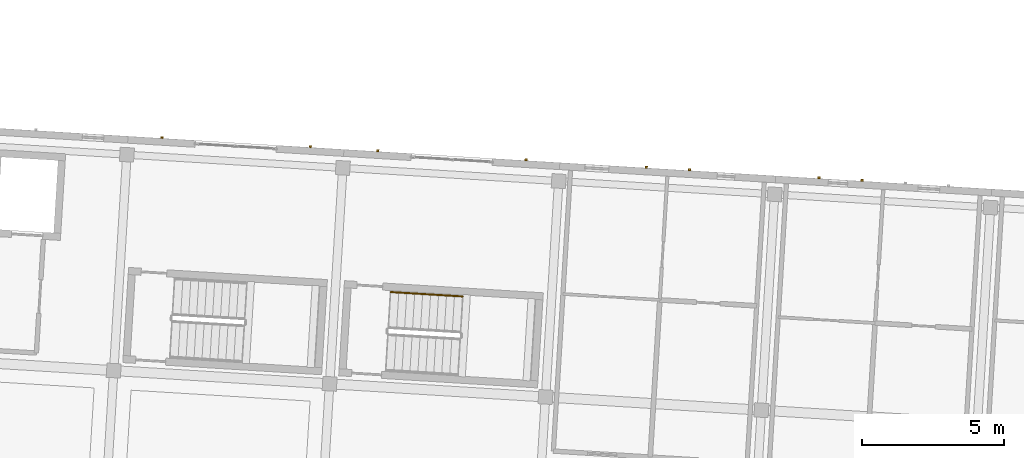
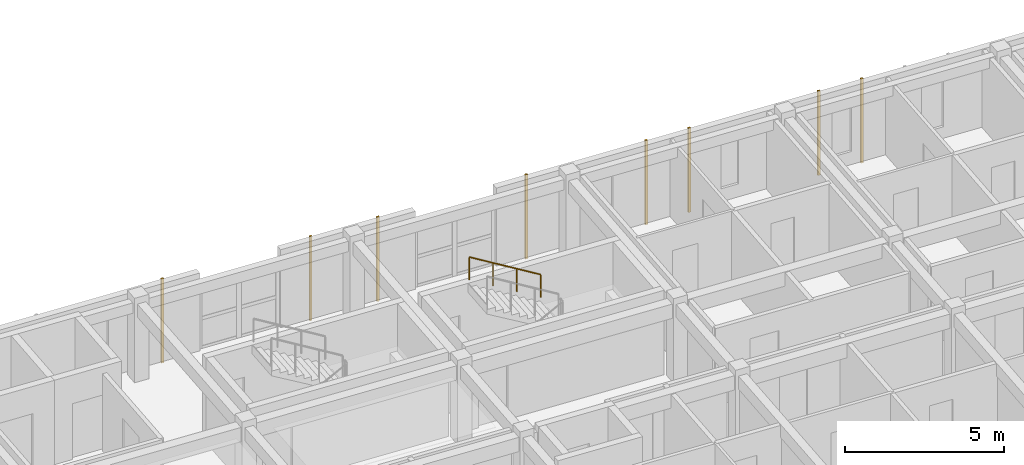
# One storey, part 50 of 74: 8 coverings, 1 railing.
"""IFC4 building model written with IfcOpenShell, lengths in metres."""

import ifcopenshell
import ifcopenshell.guid

model = None  # the IFC model being written
_history = None  # IfcOwnerHistory: only IFC2X3 demands one
_inside = {}  # id of a spatial element -> (the spatial element, [elements in it])
_under = {}  # id of a project, library or spatial element -> (it, [spatial elements below it])
_declared = {}  # id of a project -> (the project, [libraries it declares])
_typed = {}  # id of a type object -> (the type object, [elements of that type])
_made_of = {}  # id of a material, layer set ... -> (it, [elements and type objects made of it])


def new_model(schema):
    """Start an empty IFC model of exactly this schema.

    Asked for "IFC4X3", IfcOpenShell would pick the latest addendum, in which some entities
    have other attributes; the version numbers below select the first issue.
    IFC2X3 requires an IfcOwnerHistory on every rooted entity: one is made here for all.
    """
    global model, _history
    if schema == "IFC4X3":
        model = ifcopenshell.file(schema_version=(4, 3, 0, 0))
    else:
        model = ifcopenshell.file(schema=schema)
    _inside.clear()
    _under.clear()
    _declared.clear()
    _typed.clear()
    _made_of.clear()
    _history = None
    if model.schema == "IFC2X3":
        org = make("IfcOrganization", Name="unknown")
        user = make(
            "IfcPersonAndOrganization",
            ThePerson=make("IfcPerson", FamilyName="unknown"),
            TheOrganization=org,
        )
        app = make(
            "IfcApplication",
            ApplicationDeveloper=org,
            Version="unknown",
            ApplicationFullName="unknown",
            ApplicationIdentifier="unknown",
        )
        _history = make(
            "IfcOwnerHistory",
            OwningUser=user,
            OwningApplication=app,
            ChangeAction="ADDED",
            CreationDate=0,
        )
    return model


def make(cls, **values):
    """One entity of the class cls with the attributes given. An attribute that is None is left unset."""
    return model.create_entity(
        cls, **{name: value for name, value in values.items() if value is not None}
    )


def rooted(cls, **values):
    """An entity with a GlobalId (a new one), such as an element, a storey or a relation."""
    return make(cls, GlobalId=ifcopenshell.guid.new(), OwnerHistory=_history, **values)


def si_unit(unit_type, name, prefix=None):
    """IfcSIUnit, for example si_unit("LENGTHUNIT", "METRE", prefix="MILLI")."""
    return make("IfcSIUnit", UnitType=unit_type, Prefix=prefix, Name=name)


def assignment(units):
    """IfcUnitAssignment: the units of a project."""
    return None if units is None else make("IfcUnitAssignment", Units=units)


def point(xyz):
    """IfcCartesianPoint."""
    return None if xyz is None else make("IfcCartesianPoint", Coordinates=xyz)


def direction(xyz):
    """IfcDirection."""
    return None if xyz is None else make("IfcDirection", DirectionRatios=xyz)


def frame(location, z_axis=None, x_axis=None):
    """IfcAxis2Placement3D, a coordinate frame: its origin and axes. An axis left out is left unset."""
    return make(
        "IfcAxis2Placement3D",
        Location=point(location),
        Axis=direction(z_axis),
        RefDirection=direction(x_axis),
    )


def frame_2d(location, x_axis=None):
    """IfcAxis2Placement2D, a coordinate frame in the plane: its origin and x axis."""
    return make(
        "IfcAxis2Placement2D", Location=point(location), RefDirection=direction(x_axis)
    )


def origin():
    """The frame at (0, 0, 0) with its axes left unset."""
    return frame((0.0, 0.0, 0.0))


def origin_2d():
    """The frame at (0, 0) in the plane with its x axis left unset."""
    return frame_2d((0.0, 0.0))


def place(relative_to, where):
    """IfcLocalPlacement: puts the frame where relative to a parent placement (None: the world)."""
    return make(
        "IfcLocalPlacement", PlacementRelTo=relative_to, RelativePlacement=where
    )


def context(
    kind, dimensions, precision=None, world=None, true_north=None, identifier=None
):
    """IfcGeometricRepresentationContext, for example the 3D "Model" context."""
    return make(
        "IfcGeometricRepresentationContext",
        ContextIdentifier=identifier,
        ContextType=kind,
        CoordinateSpaceDimension=dimensions,
        Precision=precision,
        WorldCoordinateSystem=world,
        TrueNorth=true_north,
    )


def subcontext(parent, identifier, kind, view, scale=None):
    """IfcGeometricRepresentationSubContext, for example "Body" below "Model"."""
    return make(
        "IfcGeometricRepresentationSubContext",
        ContextIdentifier=identifier,
        ContextType=kind,
        ParentContext=parent,
        TargetScale=scale,
        TargetView=view,
    )


def project(units=None, contexts=None):
    """IfcProject with its units and contexts."""
    return rooted(
        "IfcProject",
        Name="project",
        RepresentationContexts=contexts,
        UnitsInContext=assignment(units),
    )


def spatial(cls, under=None, at=None, **own):
    """A site, building, storey or space (cls), placed at a placement, below another one or the project."""
    s = rooted(cls, ObjectPlacement=at, **own)
    if under is not None:
        _under.setdefault(under.id(), (under, []))[1].append(s)
    return s


def profile(cls, at=None, kind="AREA", **sizes):
    """A parametric profile (cls). Its sizes go by their IFC names, for example OverallWidth=200.0."""
    return make(cls, ProfileType=kind, Position=at, **sizes)


def rectangle(**sizes):
    """IfcRectangleProfileDef."""
    return profile("IfcRectangleProfileDef", **sizes)


def circle(**sizes):
    """IfcCircleProfileDef."""
    return profile("IfcCircleProfileDef", **sizes)


def extrude(swept, where, along, depth):
    """IfcExtrudedAreaSolid: the profile swept, set in the frame where, extruded along a direction by depth."""
    return make(
        "IfcExtrudedAreaSolid",
        SweptArea=swept,
        Position=where,
        ExtrudedDirection=direction(along),
        Depth=depth,
    )


def shape(context_of_items, identifier, shape_type, items):
    """IfcShapeRepresentation: the items that make up one representation, for example the "Body"."""
    return make(
        "IfcShapeRepresentation",
        ContextOfItems=context_of_items,
        RepresentationIdentifier=identifier,
        RepresentationType=shape_type,
        Items=items,
    )


def material(Name=None, Category=None):
    """IfcMaterial."""
    return make("IfcMaterial", Name=Name, Category=Category)


def layer(
    of_material, thickness, ventilated=None, Name=None, Category=None, Priority=None
):
    """IfcMaterialLayer: one layer of a wall or slab, of a material (None: an air gap)."""
    return make(
        "IfcMaterialLayer",
        Material=of_material,
        LayerThickness=thickness,
        IsVentilated=ventilated,
        Name=Name,
        Category=Category,
        Priority=Priority,
    )


def layer_set(layers, Name=None):
    """IfcMaterialLayerSet."""
    return make("IfcMaterialLayerSet", MaterialLayers=layers, LayerSetName=Name)


def made_of(thing, what):
    """Note that an element or type object is made of a material, layer set ...; save() writes the relation."""
    if what is not None:
        _made_of.setdefault(what.id(), (what, []))[1].append(thing)
    return thing


def type_object(cls, material=None, **own):
    """A type object (cls), such as IfcWallType, which elements share."""
    return made_of(rooted(cls, **own), material)


def element(
    cls,
    number,
    at=None,
    inside=None,
    cuts=None,
    type_object=None,
    material=None,
    context=None,
    identifier="Body",
    shape_type=None,
    held_by="IfcProductDefinitionShape",
    body=None,
    shapes=None,
    **own,
):
    """One element of the class cls, such as IfcWall. Its Tag is "e" and its number.

    at: its placement. inside: the storey or other place that contains it. cuts: it is an
    opening in that element (IfcRelVoidsElement). A single representation is given by context,
    identifier, shape_type and body (its items); several are given by shapes. held_by: the class
    of the entity that holds the representations. save() writes the other relations.
    """
    e = rooted(cls, Tag="e%d" % number, ObjectPlacement=at, **own)
    if body is not None:
        shapes = [shape(context, identifier, shape_type, body)]
    if shapes is not None:
        e.Representation = make(held_by, Representations=shapes)
    if inside is not None:
        _inside.setdefault(inside.id(), (inside, []))[1].append(e)
    if cuts is not None:
        rooted(
            "IfcRelVoidsElement", RelatingBuildingElement=cuts, RelatedOpeningElement=e
        )
    if type_object is not None:
        _typed.setdefault(type_object.id(), (type_object, []))[1].append(e)
    return made_of(e, material)


def aggregate(whole, parts):
    """IfcRelAggregates: a whole, such as a stair, and the parts it consists of."""
    return rooted("IfcRelAggregates", RelatingObject=whole, RelatedObjects=parts)


def save(model, path):
    """Write the relations noted so far, then the file.

    IfcRelAggregates (storeys below a building ...), IfcRelContainedInSpatialStructure (elements
    in a storey), IfcRelDefinesByType, IfcRelAssociatesMaterial and IfcRelDeclares: one each for
    every whole, place, type object, material and project.
    """
    for whole, parts in _under.values():
        aggregate(whole, parts)
    for where, things in _inside.values():
        rooted(
            "IfcRelContainedInSpatialStructure",
            RelatedElements=things,
            RelatingStructure=where,
        )
    for kind, things in _typed.values():
        rooted("IfcRelDefinesByType", RelatedObjects=things, RelatingType=kind)
    for what, things in _made_of.values():
        rooted("IfcRelAssociatesMaterial", RelatedObjects=things, RelatingMaterial=what)
    for by, libraries in _declared.values():
        rooted("IfcRelDeclares", RelatingContext=by, RelatedDefinitions=libraries)
    model.write(path)


model = new_model("IFC4")

# Units and contexts
model_context = context("Model", 3, precision=1e-05, world=origin(), true_north=direction((0.0, 1.0)))
body_context = subcontext(model_context, "Body", "Model", "MODEL_VIEW")
ifc_project = project(units=[si_unit("LENGTHUNIT", "METRE"), si_unit("AREAUNIT", "SQUARE_METRE"), si_unit("VOLUMEUNIT", "CUBIC_METRE"), si_unit("PLANEANGLEUNIT", "RADIAN"), si_unit("MASSUNIT", "GRAM", prefix="KILO")], contexts=[model_context])

# Site, building, storey
site_placement = place(None, origin())
site = spatial("IfcSite", under=ifc_project, at=site_placement, CompositionType="ELEMENT")
building_placement = place(site_placement, origin())
building = spatial("IfcBuilding", under=site, at=building_placement, Name="Kestramere Prow Commons", CompositionType="ELEMENT")
storey_placement = place(building_placement, frame((0.0, 0.0, 11.64990234375)))
storey = spatial("IfcBuildingStorey", under=building, at=storey_placement, Name="L03", CompositionType="ELEMENT", Elevation=11.64990234375)

# Coverings
ifc_material_1 = material(Name="Weathered Zinc-Titanium Standing-Seam Cladding")
ifc_layer = layer(ifc_material_1, 0.074951171875)
ifc_layer_set = layer_set([ifc_layer], Name="Weathered Zinc-Titanium Standing-Seam Cladding")
covering_type = type_object("IfcCoveringType", Name="COV-CLAD-SEAM", PredefinedType="CLADDING", material=ifc_layer_set)
for number, where, z_axis, x_axis, name in (
    (1, (69.509033203125, 66.203125, -0.25), (0.0, 0.0, 1.0), (0.998134798422, -0.061048539535, 0.0), "EW-C-L03-NP-1-L Standing-Seam Rib 1"),
    (2, (74.724365234375, 65.88427734375, -0.25), (0.0, 0.0, 1.0), (0.998134798422, -0.061048539535, 0.0), "EW-C-L03-NP-1-R Standing-Seam Rib 1"),
    (3, (77.094970703125, 65.7392578125, -0.25), (0.0, 0.0, 1.0), (0.998134798422, -0.061048539535, 0.0), "EW-C-L03-NP-2-L Standing-Seam Rib 1"),
    (4, (82.31005859375, 65.420166015625, -0.25), (0.0, 0.0, 1.0), (0.998134798422, -0.061048539535, 0.0), "EW-C-L03-NP-2-R Standing-Seam Rib 1"),
    (5, (86.52978515625, 65.162109375, -0.25), (0.0, 0.0, 1.0), (0.998134798422, -0.061048539535, 0.0), "EW-C-L03-N-3 Standing-Seam Rib 2"),
    (6, (88.046875, 65.0693359375, -0.25), (0.0, 0.0, 1.0), (0.998134798422, -0.061048539535, 0.0), "EW-C-L03-N-3 Standing-Seam Rib 3"),
    (7, (92.598388671875, 64.791015625, -0.25), (0.0, 0.0, 1.0), (0.998134798422, -0.061048539535, 0.0), "EW-C-L03-N-4 Standing-Seam Rib 1"),
    (8, (94.115478515625, 64.6982421875, -0.25), (0.0, 0.0, 1.0), (0.998134798422, -0.061048539535, 0.0), "EW-C-L03-N-4 Standing-Seam Rib 2"),
):
    element("IfcCovering", number, at=place(storey_placement, frame(where, z_axis=z_axis, x_axis=x_axis)), inside=storey, type_object=covering_type, Name=name, PredefinedType="CLADDING", context=body_context, shape_type="SweptSolid", body=[
        extrude(rectangle(XDim=0.0849609375, YDim=0.06494140625, at=origin_2d()), origin(), (0.0, 0.0, 1.0), 3.25),
    ])

# Railing
ifc_material_2 = material(Name="Stainless Steel 304", Category="steel")
railing_type = type_object("IfcRailingType", Name="RL-ST-HR-900", PredefinedType="HANDRAIL", material=ifc_material_2)
railing_placement = place(storey_placement, frame((80.0703125, 60.62060546875, 1.9501953125)))
element("IfcRailing", 9, at=railing_placement, inside=storey, type_object=railing_type, Name="L03 ST-C2 stair handrail 2", PredefinedType="HANDRAIL", context=body_context, shape_type="SweptSolid", body=[
    extrude(circle(Radius=0.02392578125, at=origin_2d()), frame((0.0, 0.0, 0.8759765625), z_axis=(-0.863284693866, 0.052792599217, 0.501948681446), x_axis=(-0.061039146275, -0.998135372894, 0.0)), (0.0, 0.0, 1.0), 2.913330078125),
    extrude(circle(Radius=0.02099609375, at=origin_2d()), origin(), (0.0, 0.0, 1.0), 0.851806640625),
    extrude(circle(Radius=0.02099609375, at=origin_2d()), frame((-0.83837890625, 0.05126953125, 0.487548828125)), (0.0, 0.0, 1.0), 0.851806640625),
    extrude(circle(Radius=0.02099609375, at=origin_2d()), frame((-1.6767578125, 0.1025390625, 0.974853515625)), (0.0, 0.0, 1.0), 0.851806640625),
    extrude(circle(Radius=0.02099609375, at=origin_2d()), frame((-2.51513671875, 0.15380859375, 1.46240234375)), (0.0, 0.0, 1.0), 0.851806640625),
])

save(model, "model.ifc")
